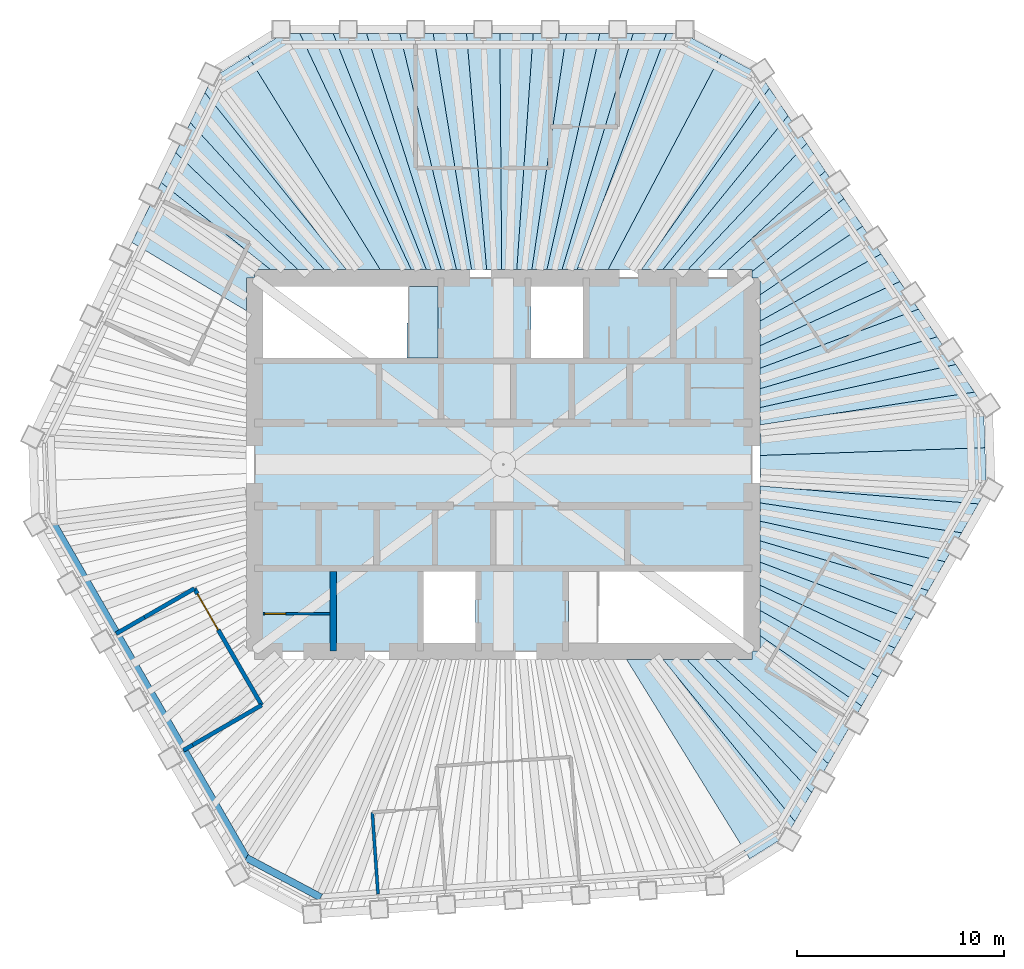
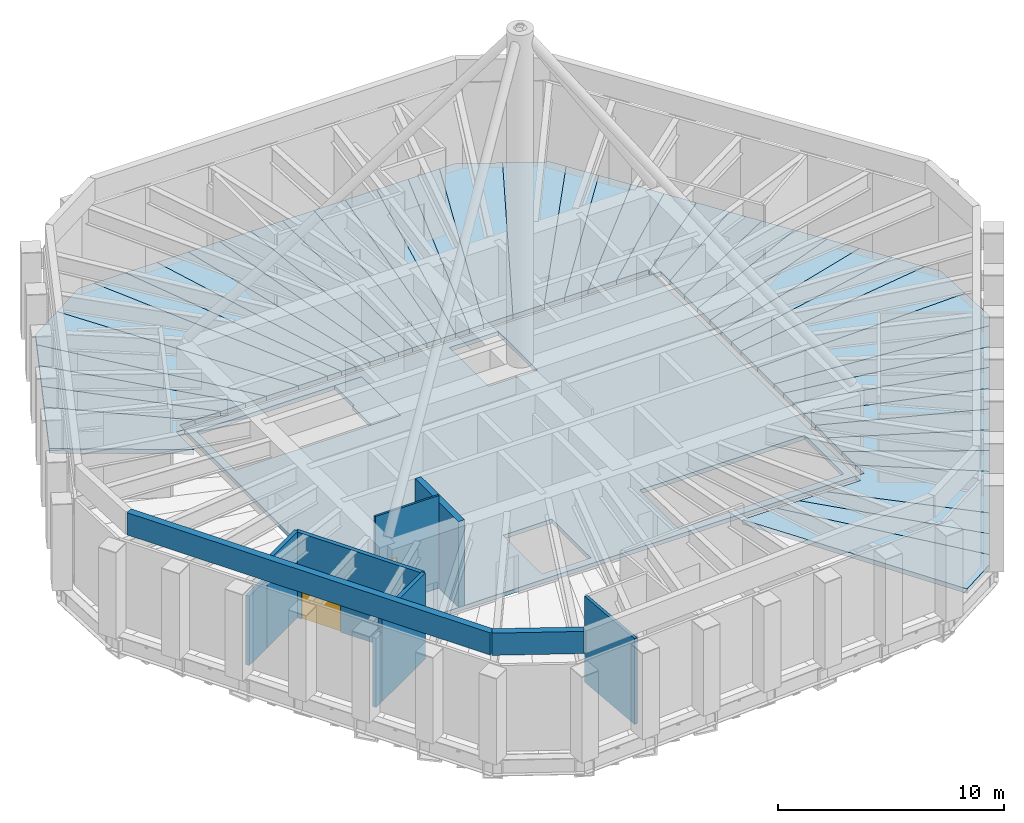
# One storey, part 4 of 9: 45 slabs, 10 walls, 2 doors, 2 openings.
"""IFC4 building model written with IfcOpenShell, lengths in metres."""

import ifcopenshell
import ifcopenshell.guid

model = None  # the IFC model being written
_history = None  # IfcOwnerHistory: only IFC2X3 demands one
_inside = {}  # id of a spatial element -> (the spatial element, [elements in it])
_under = {}  # id of a project, library or spatial element -> (it, [spatial elements below it])
_declared = {}  # id of a project -> (the project, [libraries it declares])
_typed = {}  # id of a type object -> (the type object, [elements of that type])
_made_of = {}  # id of a material, layer set ... -> (it, [elements and type objects made of it])


def new_model(schema):
    """Start an empty IFC model of exactly this schema.

    Asked for "IFC4X3", IfcOpenShell would pick the latest addendum, in which some entities
    have other attributes; the version numbers below select the first issue.
    IFC2X3 requires an IfcOwnerHistory on every rooted entity: one is made here for all.
    """
    global model, _history
    if schema == "IFC4X3":
        model = ifcopenshell.file(schema_version=(4, 3, 0, 0))
    else:
        model = ifcopenshell.file(schema=schema)
    _inside.clear()
    _under.clear()
    _declared.clear()
    _typed.clear()
    _made_of.clear()
    _history = None
    if model.schema == "IFC2X3":
        org = make("IfcOrganization", Name="unknown")
        user = make(
            "IfcPersonAndOrganization",
            ThePerson=make("IfcPerson", FamilyName="unknown"),
            TheOrganization=org,
        )
        app = make(
            "IfcApplication",
            ApplicationDeveloper=org,
            Version="unknown",
            ApplicationFullName="unknown",
            ApplicationIdentifier="unknown",
        )
        _history = make(
            "IfcOwnerHistory",
            OwningUser=user,
            OwningApplication=app,
            ChangeAction="ADDED",
            CreationDate=0,
        )
    return model


def make(cls, **values):
    """One entity of the class cls with the attributes given. An attribute that is None is left unset."""
    return model.create_entity(
        cls, **{name: value for name, value in values.items() if value is not None}
    )


def rooted(cls, **values):
    """An entity with a GlobalId (a new one), such as an element, a storey or a relation."""
    return make(cls, GlobalId=ifcopenshell.guid.new(), OwnerHistory=_history, **values)


def si_unit(unit_type, name, prefix=None):
    """IfcSIUnit, for example si_unit("LENGTHUNIT", "METRE", prefix="MILLI")."""
    return make("IfcSIUnit", UnitType=unit_type, Prefix=prefix, Name=name)


def assignment(units):
    """IfcUnitAssignment: the units of a project."""
    return None if units is None else make("IfcUnitAssignment", Units=units)


def point(xyz):
    """IfcCartesianPoint."""
    return None if xyz is None else make("IfcCartesianPoint", Coordinates=xyz)


def direction(xyz):
    """IfcDirection."""
    return None if xyz is None else make("IfcDirection", DirectionRatios=xyz)


def frame(location, z_axis=None, x_axis=None):
    """IfcAxis2Placement3D, a coordinate frame: its origin and axes. An axis left out is left unset."""
    return make(
        "IfcAxis2Placement3D",
        Location=point(location),
        Axis=direction(z_axis),
        RefDirection=direction(x_axis),
    )


def frame_2d(location, x_axis=None):
    """IfcAxis2Placement2D, a coordinate frame in the plane: its origin and x axis."""
    return make(
        "IfcAxis2Placement2D", Location=point(location), RefDirection=direction(x_axis)
    )


def origin():
    """The frame at (0, 0, 0) with its axes left unset."""
    return frame((0.0, 0.0, 0.0))


def place(relative_to, where):
    """IfcLocalPlacement: puts the frame where relative to a parent placement (None: the world)."""
    return make(
        "IfcLocalPlacement", PlacementRelTo=relative_to, RelativePlacement=where
    )


def context(
    kind, dimensions, precision=None, world=None, true_north=None, identifier=None
):
    """IfcGeometricRepresentationContext, for example the 3D "Model" context."""
    return make(
        "IfcGeometricRepresentationContext",
        ContextIdentifier=identifier,
        ContextType=kind,
        CoordinateSpaceDimension=dimensions,
        Precision=precision,
        WorldCoordinateSystem=world,
        TrueNorth=true_north,
    )


def subcontext(parent, identifier, kind, view, scale=None):
    """IfcGeometricRepresentationSubContext, for example "Body" below "Model"."""
    return make(
        "IfcGeometricRepresentationSubContext",
        ContextIdentifier=identifier,
        ContextType=kind,
        ParentContext=parent,
        TargetScale=scale,
        TargetView=view,
    )


def project(units=None, contexts=None):
    """IfcProject with its units and contexts."""
    return rooted(
        "IfcProject",
        Name="project",
        RepresentationContexts=contexts,
        UnitsInContext=assignment(units),
    )


def spatial(cls, under=None, at=None, **own):
    """A site, building, storey or space (cls), placed at a placement, below another one or the project."""
    s = rooted(cls, ObjectPlacement=at, **own)
    if under is not None:
        _under.setdefault(under.id(), (under, []))[1].append(s)
    return s


def polyline(points):
    """IfcPolyline through the points."""
    return make("IfcPolyline", Points=[point(p) for p in points])


def profile(cls, at=None, kind="AREA", **sizes):
    """A parametric profile (cls). Its sizes go by their IFC names, for example OverallWidth=200.0."""
    return make(cls, ProfileType=kind, Position=at, **sizes)


def rectangle(**sizes):
    """IfcRectangleProfileDef."""
    return profile("IfcRectangleProfileDef", **sizes)


def outline(outer, holes=None, kind="AREA"):
    """IfcArbitraryClosedProfileDef: a profile drawn as a closed curve; with holes, ...WithVoids."""
    if holes is None:
        return make("IfcArbitraryClosedProfileDef", ProfileType=kind, OuterCurve=outer)
    return make(
        "IfcArbitraryProfileDefWithVoids",
        ProfileType=kind,
        OuterCurve=outer,
        InnerCurves=holes,
    )


def extrude(swept, where, along, depth):
    """IfcExtrudedAreaSolid: the profile swept, set in the frame where, extruded along a direction by depth."""
    return make(
        "IfcExtrudedAreaSolid",
        SweptArea=swept,
        Position=where,
        ExtrudedDirection=direction(along),
        Depth=depth,
    )


def shape(context_of_items, identifier, shape_type, items):
    """IfcShapeRepresentation: the items that make up one representation, for example the "Body"."""
    return make(
        "IfcShapeRepresentation",
        ContextOfItems=context_of_items,
        RepresentationIdentifier=identifier,
        RepresentationType=shape_type,
        Items=items,
    )


def material(Name=None, Category=None):
    """IfcMaterial."""
    return make("IfcMaterial", Name=Name, Category=Category)


def layer(
    of_material, thickness, ventilated=None, Name=None, Category=None, Priority=None
):
    """IfcMaterialLayer: one layer of a wall or slab, of a material (None: an air gap)."""
    return make(
        "IfcMaterialLayer",
        Material=of_material,
        LayerThickness=thickness,
        IsVentilated=ventilated,
        Name=Name,
        Category=Category,
        Priority=Priority,
    )


def layer_set(layers, Name=None):
    """IfcMaterialLayerSet."""
    return make("IfcMaterialLayerSet", MaterialLayers=layers, LayerSetName=Name)


def made_of(thing, what):
    """Note that an element or type object is made of a material, layer set ...; save() writes the relation."""
    if what is not None:
        _made_of.setdefault(what.id(), (what, []))[1].append(thing)
    return thing


def type_object(cls, material=None, **own):
    """A type object (cls), such as IfcWallType, which elements share."""
    return made_of(rooted(cls, **own), material)


def element(
    cls,
    number,
    at=None,
    inside=None,
    cuts=None,
    type_object=None,
    material=None,
    context=None,
    identifier="Body",
    shape_type=None,
    held_by="IfcProductDefinitionShape",
    body=None,
    shapes=None,
    **own,
):
    """One element of the class cls, such as IfcWall. Its Tag is "e" and its number.

    at: its placement. inside: the storey or other place that contains it. cuts: it is an
    opening in that element (IfcRelVoidsElement). A single representation is given by context,
    identifier, shape_type and body (its items); several are given by shapes. held_by: the class
    of the entity that holds the representations. save() writes the other relations.
    """
    e = rooted(cls, Tag="e%d" % number, ObjectPlacement=at, **own)
    if body is not None:
        shapes = [shape(context, identifier, shape_type, body)]
    if shapes is not None:
        e.Representation = make(held_by, Representations=shapes)
    if inside is not None:
        _inside.setdefault(inside.id(), (inside, []))[1].append(e)
    if cuts is not None:
        rooted(
            "IfcRelVoidsElement", RelatingBuildingElement=cuts, RelatedOpeningElement=e
        )
    if type_object is not None:
        _typed.setdefault(type_object.id(), (type_object, []))[1].append(e)
    return made_of(e, material)


def fill(opening, filler):
    """IfcRelFillsElement: the door or window that sits in an opening."""
    return rooted(
        "IfcRelFillsElement",
        RelatingOpeningElement=opening,
        RelatedBuildingElement=filler,
    )


def aggregate(whole, parts):
    """IfcRelAggregates: a whole, such as a stair, and the parts it consists of."""
    return rooted("IfcRelAggregates", RelatingObject=whole, RelatedObjects=parts)


def save(model, path):
    """Write the relations noted so far, then the file.

    IfcRelAggregates (storeys below a building ...), IfcRelContainedInSpatialStructure (elements
    in a storey), IfcRelDefinesByType, IfcRelAssociatesMaterial and IfcRelDeclares: one each for
    every whole, place, type object, material and project.
    """
    for whole, parts in _under.values():
        aggregate(whole, parts)
    for where, things in _inside.values():
        rooted(
            "IfcRelContainedInSpatialStructure",
            RelatedElements=things,
            RelatingStructure=where,
        )
    for kind, things in _typed.values():
        rooted("IfcRelDefinesByType", RelatedObjects=things, RelatingType=kind)
    for what, things in _made_of.values():
        rooted("IfcRelAssociatesMaterial", RelatedObjects=things, RelatingMaterial=what)
    for by, libraries in _declared.values():
        rooted("IfcRelDeclares", RelatingContext=by, RelatedDefinitions=libraries)
    model.write(path)


model = new_model("IFC4")

# Units and contexts
model_context = context("Model", 3, precision=1e-05, world=origin(), true_north=direction((0.0, 1.0)))
body_context = subcontext(model_context, "Body", "Model", "MODEL_VIEW")
ifc_project = project(units=[si_unit("LENGTHUNIT", "METRE"), si_unit("AREAUNIT", "SQUARE_METRE"), si_unit("VOLUMEUNIT", "CUBIC_METRE"), si_unit("PLANEANGLEUNIT", "RADIAN"), si_unit("MASSUNIT", "GRAM", prefix="KILO")], contexts=[model_context])

# Site, building, storey
site_placement = place(None, origin())
site = spatial("IfcSite", under=ifc_project, at=site_placement, CompositionType="ELEMENT")
building_placement = place(site_placement, origin())
building = spatial("IfcBuilding", under=site, at=building_placement, Name="Qingtian Harvest Tower", CompositionType="ELEMENT")
storey_placement = place(building_placement, frame((0.0, 0.0, 343.60009765625)))
storey = spatial("IfcBuildingStorey", under=building, at=storey_placement, Name="L76", CompositionType="ELEMENT", Elevation=343.60009765625)

# Slabs
ifc_material_1 = material(Name="Concrete fc' 35 MPa", Category="concrete")
ifc_layer_1 = layer(ifc_material_1, 0.25)
ifc_layer_set_1 = layer_set([ifc_layer_1], Name="Composite floor slab FS25 250")
slab_type_1 = type_object("IfcSlabType", Name="Composite floor slab FS25 250", PredefinedType="FLOOR", material=ifc_layer_set_1)
slab_1_placement = place(storey_placement, frame((0.0, 0.0, -0.25)))
element("IfcSlab", 1, at=slab_1_placement, inside=storey, type_object=slab_type_1, Name="Floor slab L76 panel D27", PredefinedType="FLOOR", context=body_context, shape_type="SweptSolid", body=[
    extrude(outline(polyline([(5.945556640625, -9.39990234375), (7.703125, -9.39990234375), (14.077880859375, -17.2265625), (13.6865234375, -17.904296875), (11.890380859375, -19.026611328125), (5.945556640625, -9.39990234375)])), origin(), (0.0, 0.0, 1.0), 0.25),
])
slab_2_placement = place(storey_placement, frame((0.0, 0.0, -0.25)))
element("IfcSlab", 2, at=slab_2_placement, inside=storey, type_object=slab_type_1, Name="Floor slab L76 panel D28", PredefinedType="FLOOR", context=body_context, shape_type="SweptSolid", body=[
    extrude(outline(polyline([(8.86279296875, -9.39990234375), (14.88232421875, -15.8330078125), (14.077880859375, -17.2265625), (7.703125, -9.39990234375), (8.86279296875, -9.39990234375)])), origin(), (0.0, 0.0, 1.0), 0.25),
])
slab_3_placement = place(storey_placement, frame((0.0, 0.0, -0.25)))
element("IfcSlab", 3, at=slab_3_placement, inside=storey, type_object=slab_type_1, Name="Floor slab L76 panel D29", PredefinedType="FLOOR", context=body_context, shape_type="SweptSolid", body=[
    extrude(outline(polyline([(10.248046875, -9.39990234375), (15.68701171875, -14.439453125), (14.88232421875, -15.8330078125), (8.86279296875, -9.39990234375), (10.248046875, -9.39990234375)])), origin(), (0.0, 0.0, 1.0), 0.25),
])
slab_4_placement = place(storey_placement, frame((0.0, 0.0, -0.25)))
element("IfcSlab", 4, at=slab_4_placement, inside=storey, type_object=slab_type_1, Name="Floor slab L76 panel D31", PredefinedType="FLOOR", context=body_context, shape_type="SweptSolid", body=[
    extrude(outline(polyline([(12.39990234375, -8.263427734375), (17.296630859375, -11.651123046875), (15.68701171875, -14.439453125), (10.248046875, -9.39990234375), (12.0, -9.39990234375), (12.0, -9.0), (12.39990234375, -9.0), (12.39990234375, -8.263427734375)])), origin(), (0.0, 0.0, 1.0), 0.25),
])
slab_5_placement = place(storey_placement, frame((0.0, 0.0, -0.25)))
element("IfcSlab", 5, at=slab_5_placement, inside=storey, type_object=slab_type_1, Name="Floor slab L76 panel D32", PredefinedType="FLOOR", context=body_context, shape_type="SweptSolid", body=[
    extrude(outline(polyline([(12.39990234375, -7.04296875), (18.099853515625, -10.26025390625), (17.296630859375, -11.651123046875), (12.39990234375, -8.263427734375), (12.39990234375, -7.04296875)])), origin(), (0.0, 0.0, 1.0), 0.25),
])
slab_6_placement = place(storey_placement, frame((0.0, 0.0, -0.25)))
element("IfcSlab", 6, at=slab_6_placement, inside=storey, type_object=slab_type_1, Name="Floor slab L76 panel D33", PredefinedType="FLOOR", context=body_context, shape_type="SweptSolid", body=[
    extrude(outline(polyline([(12.39990234375, -5.828125), (18.904296875, -8.86669921875), (18.099853515625, -10.26025390625), (12.39990234375, -7.04296875), (12.39990234375, -5.828125)])), origin(), (0.0, 0.0, 1.0), 0.25),
])
slab_7_placement = place(storey_placement, frame((0.0, 0.0, -0.25)))
element("IfcSlab", 7, at=slab_7_placement, inside=storey, type_object=slab_type_1, Name="Floor slab L76 panel D34", PredefinedType="FLOOR", context=body_context, shape_type="SweptSolid", body=[
    extrude(outline(polyline([(12.39990234375, -4.712646484375), (19.708740234375, -7.473388671875), (18.904296875, -8.86669921875), (12.39990234375, -5.828125), (12.39990234375, -4.712646484375)])), origin(), (0.0, 0.0, 1.0), 0.25),
])
slab_8_placement = place(storey_placement, frame((0.0, 0.0, -0.25)))
element("IfcSlab", 8, at=slab_8_placement, inside=storey, type_object=slab_type_1, Name="Floor slab L76 panel D35", PredefinedType="FLOOR", context=body_context, shape_type="SweptSolid", body=[
    extrude(outline(polyline([(12.39990234375, -3.684814453125), (20.51318359375, -6.080078125), (19.708740234375, -7.473388671875), (12.39990234375, -4.712646484375), (12.39990234375, -3.684814453125)])), origin(), (0.0, 0.0, 1.0), 0.25),
])
slab_9_placement = place(storey_placement, frame((0.0, 0.0, -0.25)))
element("IfcSlab", 9, at=slab_9_placement, inside=storey, type_object=slab_type_1, Name="Floor slab L76 panel D36", PredefinedType="FLOOR", context=body_context, shape_type="SweptSolid", body=[
    extrude(outline(polyline([(12.39990234375, -2.734619140625), (21.317626953125, -4.6865234375), (20.51318359375, -6.080078125), (12.39990234375, -3.684814453125), (12.39990234375, -2.734619140625)])), origin(), (0.0, 0.0, 1.0), 0.25),
])
slab_10_placement = place(storey_placement, frame((0.0, 0.0, -0.25)))
element("IfcSlab", 10, at=slab_10_placement, inside=storey, type_object=slab_type_1, Name="Floor slab L76 panel D37", PredefinedType="FLOOR", context=body_context, shape_type="SweptSolid", body=[
    extrude(outline(polyline([(12.39990234375, -1.853515625), (22.122314453125, -3.293212890625), (21.317626953125, -4.6865234375), (12.39990234375, -2.734619140625), (12.39990234375, -1.853515625)])), origin(), (0.0, 0.0, 1.0), 0.25),
])
slab_11_placement = place(storey_placement, frame((0.0, 0.0, -0.25)))
element("IfcSlab", 11, at=slab_11_placement, inside=storey, type_object=slab_type_1, Name="Floor slab L76 panel D38", PredefinedType="FLOOR", context=body_context, shape_type="SweptSolid", body=[
    extrude(outline(polyline([(12.39990234375, -1.034423828125), (22.9267578125, -1.89990234375), (22.122314453125, -3.293212890625), (12.39990234375, -1.853515625), (12.39990234375, -1.034423828125)])), origin(), (0.0, 0.0, 1.0), 0.25),
])
slab_12_placement = place(storey_placement, frame((0.0, 0.0, -0.25)))
element("IfcSlab", 12, at=slab_12_placement, inside=storey, type_object=slab_type_1, Name="Floor slab L76 panel D39", PredefinedType="FLOOR", context=body_context, shape_type="SweptSolid", body=[
    extrude(outline(polyline([(12.39990234375, -1.034423828125), (12.39990234375, 0.436279296875), (23.246826171875, 0.811767578125), (23.31787109375, -1.22216796875), (22.9267578125, -1.89990234375), (12.39990234375, -1.034423828125)])), origin(), (0.0, 0.0, 1.0), 0.25),
])
slab_13_placement = place(storey_placement, frame((0.0, 0.0, -0.25)))
element("IfcSlab", 13, at=slab_13_placement, inside=storey, type_object=slab_type_1, Name="Floor slab L76 panel D40", PredefinedType="FLOOR", context=body_context, shape_type="SweptSolid", body=[
    extrude(outline(polyline([(12.39990234375, 0.436279296875), (12.39990234375, 1.91357421875), (22.73828125, 3.494384765625), (23.17578125, 2.845947265625), (23.246826171875, 0.811767578125), (12.39990234375, 0.436279296875)])), origin(), (0.0, 0.0, 1.0), 0.25),
])
slab_14_placement = place(storey_placement, frame((0.0, 0.0, -0.25)))
element("IfcSlab", 14, at=slab_14_placement, inside=storey, type_object=slab_type_1, Name="Floor slab L76 panel D41", PredefinedType="FLOOR", context=body_context, shape_type="SweptSolid", body=[
    extrude(outline(polyline([(12.39990234375, 2.75048828125), (21.838623046875, 4.828369140625), (22.73828125, 3.494384765625), (12.39990234375, 1.91357421875), (12.39990234375, 2.75048828125)])), origin(), (0.0, 0.0, 1.0), 0.25),
])
slab_15_placement = place(storey_placement, frame((0.0, 0.0, -0.25)))
element("IfcSlab", 15, at=slab_15_placement, inside=storey, type_object=slab_type_1, Name="Floor slab L76 panel D42", PredefinedType="FLOOR", context=body_context, shape_type="SweptSolid", body=[
    extrude(outline(polyline([(12.39990234375, 3.659423828125), (20.93896484375, 6.162353515625), (21.838623046875, 4.828369140625), (12.39990234375, 2.75048828125), (12.39990234375, 3.659423828125)])), origin(), (0.0, 0.0, 1.0), 0.25),
])
slab_16_placement = place(storey_placement, frame((0.0, 0.0, -0.25)))
element("IfcSlab", 16, at=slab_16_placement, inside=storey, type_object=slab_type_1, Name="Floor slab L76 panel D43", PredefinedType="FLOOR", context=body_context, shape_type="SweptSolid", body=[
    extrude(outline(polyline([(12.39990234375, 4.64990234375), (20.0390625, 7.49609375), (20.93896484375, 6.162353515625), (12.39990234375, 3.659423828125), (12.39990234375, 4.64990234375)])), origin(), (0.0, 0.0, 1.0), 0.25),
])
slab_17_placement = place(storey_placement, frame((0.0, 0.0, -0.25)))
element("IfcSlab", 17, at=slab_17_placement, inside=storey, type_object=slab_type_1, Name="Floor slab L76 panel D44", PredefinedType="FLOOR", context=body_context, shape_type="SweptSolid", body=[
    extrude(outline(polyline([(12.39990234375, 5.73388671875), (19.139404296875, 8.830078125), (20.0390625, 7.49609375), (12.39990234375, 4.64990234375), (12.39990234375, 5.73388671875)])), origin(), (0.0, 0.0, 1.0), 0.25),
])
slab_18_placement = place(storey_placement, frame((0.0, 0.0, -0.25)))
element("IfcSlab", 18, at=slab_18_placement, inside=storey, type_object=slab_type_1, Name="Floor slab L76 panel D45", PredefinedType="FLOOR", context=body_context, shape_type="SweptSolid", body=[
    extrude(outline(polyline([(12.39990234375, 6.925048828125), (18.23974609375, 10.1640625), (19.139404296875, 8.830078125), (12.39990234375, 5.73388671875), (12.39990234375, 6.925048828125)])), origin(), (0.0, 0.0, 1.0), 0.25),
])
slab_19_placement = place(storey_placement, frame((0.0, 0.0, -0.25)))
element("IfcSlab", 19, at=slab_19_placement, inside=storey, type_object=slab_type_1, Name="Floor slab L76 panel D46", PredefinedType="FLOOR", context=body_context, shape_type="SweptSolid", body=[
    extrude(outline(polyline([(12.39990234375, 8.199462890625), (17.340576171875, 11.4970703125), (18.23974609375, 10.1640625), (12.39990234375, 6.925048828125), (12.39990234375, 8.199462890625)])), origin(), (0.0, 0.0, 1.0), 0.25),
])
slab_20_placement = place(storey_placement, frame((0.0, 0.0, -0.25)))
element("IfcSlab", 20, at=slab_20_placement, inside=storey, type_object=slab_type_1, Name="Floor slab L76 panel D47", PredefinedType="FLOOR", context=body_context, shape_type="SweptSolid", body=[
    extrude(outline(polyline([(12.39990234375, 9.0), (12.0, 9.0), (12.0, 9.30908203125), (16.44140625, 12.830078125), (17.340576171875, 11.4970703125), (12.39990234375, 8.199462890625), (12.39990234375, 9.0)])), origin(), (0.0, 0.0, 1.0), 0.25),
])
slab_21_placement = place(storey_placement, frame((0.0, 0.0, -0.25)))
element("IfcSlab", 21, at=slab_21_placement, inside=storey, type_object=slab_type_1, Name="Floor slab L76 panel D48", PredefinedType="FLOOR", context=body_context, shape_type="SweptSolid", body=[
    extrude(outline(polyline([(12.0, 9.39990234375), (10.349853515625, 9.39990234375), (15.541259765625, 14.164794921875), (16.44140625, 12.830078125), (12.0, 9.30908203125), (12.0, 9.39990234375)])), origin(), (0.0, 0.0, 1.0), 0.25),
])
slab_22_placement = place(storey_placement, frame((0.0, 0.0, -0.25)))
element("IfcSlab", 22, at=slab_22_placement, inside=storey, type_object=slab_type_1, Name="Floor slab L76 panel D49", PredefinedType="FLOOR", context=body_context, shape_type="SweptSolid", body=[
    extrude(outline(polyline([(8.907958984375, 9.39990234375), (14.641357421875, 15.498779296875), (15.541259765625, 14.164794921875), (10.349853515625, 9.39990234375), (8.907958984375, 9.39990234375)])), origin(), (0.0, 0.0, 1.0), 0.25),
])
slab_23_placement = place(storey_placement, frame((0.0, 0.0, -0.25)))
element("IfcSlab", 23, at=slab_23_placement, inside=storey, type_object=slab_type_1, Name="Floor slab L76 panel D50", PredefinedType="FLOOR", context=body_context, shape_type="SweptSolid", body=[
    extrude(outline(polyline([(7.695556640625, 9.39990234375), (13.74169921875, 16.832763671875), (14.641357421875, 15.498779296875), (8.907958984375, 9.39990234375), (7.695556640625, 9.39990234375)])), origin(), (0.0, 0.0, 1.0), 0.25),
])
slab_24_placement = place(storey_placement, frame((0.0, 0.0, -0.25)))
element("IfcSlab", 24, at=slab_24_placement, inside=storey, type_object=slab_type_1, Name="Floor slab L76 panel D51", PredefinedType="FLOOR", context=body_context, shape_type="SweptSolid", body=[
    extrude(outline(polyline([(6.662109375, 9.39990234375), (12.841796875, 18.16650390625), (13.74169921875, 16.832763671875), (7.695556640625, 9.39990234375), (6.662109375, 9.39990234375)])), origin(), (0.0, 0.0, 1.0), 0.25),
])
slab_25_placement = place(storey_placement, frame((0.0, 0.0, -0.25)))
element("IfcSlab", 25, at=slab_25_placement, inside=storey, type_object=slab_type_1, Name="Floor slab L76 panel D52", PredefinedType="FLOOR", context=body_context, shape_type="SweptSolid", body=[
    extrude(outline(polyline([(6.662109375, 9.39990234375), (5.05419921875, 9.39990234375), (10.533935546875, 19.809814453125), (12.404296875, 18.8154296875), (12.841796875, 18.16650390625), (6.662109375, 9.39990234375)])), origin(), (0.0, 0.0, 1.0), 0.25),
])
slab_26_placement = place(storey_placement, frame((0.0, 0.0, -0.25)))
element("IfcSlab", 26, at=slab_26_placement, inside=storey, type_object=slab_type_1, Name="Floor slab L76 panel D53", PredefinedType="FLOOR", context=body_context, shape_type="SweptSolid", body=[
    extrude(outline(polyline([(3.560302734375, 9.39990234375), (7.880126953125, 20.804931640625), (8.662109375, 20.804931640625), (10.533935546875, 19.809814453125), (5.05419921875, 9.39990234375), (3.560302734375, 9.39990234375)])), origin(), (0.0, 0.0, 1.0), 0.25),
])
slab_27_placement = place(storey_placement, frame((0.0, 0.0, -0.25)))
element("IfcSlab", 27, at=slab_27_placement, inside=storey, type_object=slab_type_1, Name="Floor slab L76 panel D54", PredefinedType="FLOOR", context=body_context, shape_type="SweptSolid", body=[
    extrude(outline(polyline([(2.833251953125, 9.39990234375), (6.27099609375, 20.804931640625), (7.880126953125, 20.804931640625), (3.560302734375, 9.39990234375), (2.833251953125, 9.39990234375)])), origin(), (0.0, 0.0, 1.0), 0.25),
])
slab_28_placement = place(storey_placement, frame((0.0, 0.0, -0.25)))
element("IfcSlab", 28, at=slab_28_placement, inside=storey, type_object=slab_type_1, Name="Floor slab L76 panel D55", PredefinedType="FLOOR", context=body_context, shape_type="SweptSolid", body=[
    extrude(outline(polyline([(2.1064453125, 9.39990234375), (4.662109375, 20.804931640625), (6.27099609375, 20.804931640625), (2.833251953125, 9.39990234375), (2.1064453125, 9.39990234375)])), origin(), (0.0, 0.0, 1.0), 0.25),
])
slab_29_placement = place(storey_placement, frame((0.0, 0.0, -0.25)))
element("IfcSlab", 29, at=slab_29_placement, inside=storey, type_object=slab_type_1, Name="Floor slab L76 panel D56", PredefinedType="FLOOR", context=body_context, shape_type="SweptSolid", body=[
    extrude(outline(polyline([(1.37939453125, 9.39990234375), (3.05322265625, 20.804931640625), (4.662109375, 20.804931640625), (2.1064453125, 9.39990234375), (1.37939453125, 9.39990234375)])), origin(), (0.0, 0.0, 1.0), 0.25),
])
slab_30_placement = place(storey_placement, frame((0.0, 0.0, -0.25)))
element("IfcSlab", 30, at=slab_30_placement, inside=storey, type_object=slab_type_1, Name="Floor slab L76 panel D57", PredefinedType="FLOOR", context=body_context, shape_type="SweptSolid", body=[
    extrude(outline(polyline([(0.652587890625, 9.39990234375), (1.4443359375, 20.804931640625), (3.05322265625, 20.804931640625), (1.37939453125, 9.39990234375), (0.652587890625, 9.39990234375)])), origin(), (0.0, 0.0, 1.0), 0.25),
])
slab_31_placement = place(storey_placement, frame((0.0, 0.0, -0.25)))
element("IfcSlab", 31, at=slab_31_placement, inside=storey, type_object=slab_type_1, Name="Floor slab L76 panel D58", PredefinedType="FLOOR", context=body_context, shape_type="SweptSolid", body=[
    extrude(outline(polyline([(-0.074462890625, 9.39990234375), (-0.16455078125, 20.804931640625), (1.4443359375, 20.804931640625), (0.652587890625, 9.39990234375), (-0.074462890625, 9.39990234375)])), origin(), (0.0, 0.0, 1.0), 0.25),
])
slab_32_placement = place(storey_placement, frame((0.0, 0.0, -0.25)))
element("IfcSlab", 32, at=slab_32_placement, inside=storey, type_object=slab_type_1, Name="Floor slab L76 panel D59", PredefinedType="FLOOR", context=body_context, shape_type="SweptSolid", body=[
    extrude(outline(polyline([(-0.80126953125, 9.39990234375), (-1.773681640625, 20.804931640625), (-0.16455078125, 20.804931640625), (-0.074462890625, 9.39990234375), (-0.80126953125, 9.39990234375)])), origin(), (0.0, 0.0, 1.0), 0.25),
])
slab_33_placement = place(storey_placement, frame((0.0, 0.0, -0.25)))
element("IfcSlab", 33, at=slab_33_placement, inside=storey, type_object=slab_type_1, Name="Floor slab L76 panel D60", PredefinedType="FLOOR", context=body_context, shape_type="SweptSolid", body=[
    extrude(outline(polyline([(-1.5283203125, 9.39990234375), (-3.382568359375, 20.804931640625), (-1.773681640625, 20.804931640625), (-0.80126953125, 9.39990234375), (-1.5283203125, 9.39990234375)])), origin(), (0.0, 0.0, 1.0), 0.25),
])
slab_34_placement = place(storey_placement, frame((0.0, 0.0, -0.25)))
element("IfcSlab", 34, at=slab_34_placement, inside=storey, type_object=slab_type_1, Name="Floor slab L76 panel D61", PredefinedType="FLOOR", context=body_context, shape_type="SweptSolid", body=[
    extrude(outline(polyline([(-2.255126953125, 9.39990234375), (-4.991455078125, 20.804931640625), (-3.382568359375, 20.804931640625), (-1.5283203125, 9.39990234375), (-2.255126953125, 9.39990234375)])), origin(), (0.0, 0.0, 1.0), 0.25),
])
slab_35_placement = place(storey_placement, frame((0.0, 0.0, -0.25)))
element("IfcSlab", 35, at=slab_35_placement, inside=storey, type_object=slab_type_1, Name="Floor slab L76 panel D62", PredefinedType="FLOOR", context=body_context, shape_type="SweptSolid", body=[
    extrude(outline(polyline([(-2.982177734375, 9.39990234375), (-6.600341796875, 20.804931640625), (-4.991455078125, 20.804931640625), (-2.255126953125, 9.39990234375), (-2.982177734375, 9.39990234375)])), origin(), (0.0, 0.0, 1.0), 0.25),
])
slab_36_placement = place(storey_placement, frame((0.0, 0.0, -0.25)))
element("IfcSlab", 36, at=slab_36_placement, inside=storey, type_object=slab_type_1, Name="Floor slab L76 panel D63", PredefinedType="FLOOR", context=body_context, shape_type="SweptSolid", body=[
    extrude(outline(polyline([(-3.708984375, 9.39990234375), (-8.209228515625, 20.804931640625), (-6.600341796875, 20.804931640625), (-2.982177734375, 9.39990234375), (-3.708984375, 9.39990234375)])), origin(), (0.0, 0.0, 1.0), 0.25),
])
slab_37_placement = place(storey_placement, frame((0.0, 0.0, -0.25)))
element("IfcSlab", 37, at=slab_37_placement, inside=storey, type_object=slab_type_1, Name="Floor slab L76 panel D64", PredefinedType="FLOOR", context=body_context, shape_type="SweptSolid", body=[
    extrude(outline(polyline([(-4.43603515625, 9.39990234375), (-9.818115234375, 20.804931640625), (-8.209228515625, 20.804931640625), (-3.708984375, 9.39990234375), (-4.43603515625, 9.39990234375)])), origin(), (0.0, 0.0, 1.0), 0.25),
])
slab_38_placement = place(storey_placement, frame((0.0, 0.0, -0.25)))
element("IfcSlab", 38, at=slab_38_placement, inside=storey, type_object=slab_type_1, Name="Floor slab L76 panel D65", PredefinedType="FLOOR", context=body_context, shape_type="SweptSolid", body=[
    extrude(outline(polyline([(-4.43603515625, 9.39990234375), (-5.935302734375, 9.39990234375), (-12.327392578125, 19.725830078125), (-10.600341796875, 20.804931640625), (-9.818115234375, 20.804931640625), (-4.43603515625, 9.39990234375)])), origin(), (0.0, 0.0, 1.0), 0.25),
])
slab_39_placement = place(storey_placement, frame((0.0, 0.0, -0.25)))
element("IfcSlab", 39, at=slab_39_placement, inside=storey, type_object=slab_type_1, Name="Floor slab L76 panel D66", PredefinedType="FLOOR", context=body_context, shape_type="SweptSolid", body=[
    extrude(outline(polyline([(-5.935302734375, 9.39990234375), (-7.560302734375, 9.39990234375), (-14.3955078125, 17.944580078125), (-14.052490234375, 18.64794921875), (-12.327392578125, 19.725830078125), (-5.935302734375, 9.39990234375)])), origin(), (0.0, 0.0, 1.0), 0.25),
])
slab_40_placement = place(storey_placement, frame((0.0, 0.0, -0.25)))
element("IfcSlab", 40, at=slab_40_placement, inside=storey, type_object=slab_type_1, Name="Floor slab L76 panel D67", PredefinedType="FLOOR", context=body_context, shape_type="SweptSolid", body=[
    extrude(outline(polyline([(-8.62890625, 9.39990234375), (-15.100830078125, 16.498291015625), (-14.3955078125, 17.944580078125), (-7.560302734375, 9.39990234375), (-8.62890625, 9.39990234375)])), origin(), (0.0, 0.0, 1.0), 0.25),
])
slab_41_placement = place(storey_placement, frame((0.0, 0.0, -0.25)))
element("IfcSlab", 41, at=slab_41_placement, inside=storey, type_object=slab_type_1, Name="Floor slab L76 panel D68", PredefinedType="FLOOR", context=body_context, shape_type="SweptSolid", body=[
    extrude(outline(polyline([(-9.90380859375, 9.39990234375), (-15.80615234375, 15.05224609375), (-15.100830078125, 16.498291015625), (-8.62890625, 9.39990234375), (-9.90380859375, 9.39990234375)])), origin(), (0.0, 0.0, 1.0), 0.25),
])
slab_42_placement = place(storey_placement, frame((0.0, 0.0, -0.25)))
element("IfcSlab", 42, at=slab_42_placement, inside=storey, type_object=slab_type_1, Name="Floor slab L76 panel D69", PredefinedType="FLOOR", context=body_context, shape_type="SweptSolid", body=[
    extrude(outline(polyline([(-11.224853515625, 9.39990234375), (-16.509765625, 13.609619140625), (-15.80615234375, 15.05224609375), (-9.90380859375, 9.39990234375), (-11.224853515625, 9.39990234375)])), origin(), (0.0, 0.0, 1.0), 0.25),
])
slab_43_placement = place(storey_placement, frame((0.0, 0.0, -0.25)))
element("IfcSlab", 43, at=slab_43_placement, inside=storey, type_object=slab_type_1, Name="Floor slab L76 panel D70", PredefinedType="FLOOR", context=body_context, shape_type="SweptSolid", body=[
    extrude(outline(polyline([(-12.0, 9.0), (-12.39990234375, 9.0), (-12.39990234375, 7.42578125), (-17.921875, 10.714599609375), (-16.509765625, 13.609619140625), (-11.224853515625, 9.39990234375), (-12.0, 9.39990234375), (-12.0, 9.0)])), origin(), (0.0, 0.0, 1.0), 0.25),
])
ifc_material_2 = material(Name="Concrete fc' 35 MPa", Category="concrete")
ifc_layer_2 = layer(ifc_material_2, 0.219970703125)
ifc_layer_set_2 = layer_set([ifc_layer_2], Name="Core floor slab CS22 220")
slab_type_2 = type_object("IfcSlabType", Name="Core floor slab CS22 220", PredefinedType="FLOOR", material=ifc_layer_set_2)
slab_44_placement = place(storey_placement, frame((0.0, 0.0, -0.22021484375)))
element("IfcSlab", 44, at=slab_44_placement, inside=storey, type_object=slab_type_2, Name="Core floor slab L76", PredefinedType="FLOOR", context=body_context, shape_type="SweptSolid", body=[
    extrude(outline(polyline([(-12.0, 9.0), (12.0, 9.0), (12.0, -9.0), (-12.0, -9.0), (-12.0, 9.0)]), holes=[polyline([(11.60009765625, -8.60009765625), (11.60009765625, -5.14990234375), (4.64990234375, -5.14990234375), (4.550048828125, -5.14990234375), (3.14990234375, -5.14990234375), (3.14990234375, -8.60009765625), (4.550048828125, -8.60009765625), (11.60009765625, -8.60009765625)]), polyline([(3.85009765625, 5.14990234375), (3.85009765625, 8.60009765625), (1.35009765625, 8.60009765625), (1.35009765625, 5.14990234375), (3.85009765625, 5.14990234375)]), polyline([(-1.35009765625, -8.60009765625), (-1.35009765625, -5.14990234375), (-3.85009765625, -5.14990234375), (-3.85009765625, -8.60009765625), (-1.35009765625, -8.60009765625)]), polyline([(-4.64990234375, 5.14990234375), (-4.550048828125, 5.14990234375), (-3.14990234375, 5.14990234375), (-3.14990234375, 8.60009765625), (-4.550048828125, 8.60009765625), (-11.60009765625, 8.60009765625), (-11.60009765625, 5.14990234375), (-4.64990234375, 5.14990234375)])]), origin(), (0.0, 0.0, 1.0), 0.22021484375),
])
ifc_material_3 = material(Name="Concrete fc' 35 MPa", Category="concrete")
ifc_layer_3 = layer(ifc_material_3, 0.179931640625)
ifc_layer_set_3 = layer_set([ifc_layer_3], Name="Stair top landing SL1 180")
slab_type_3 = type_object("IfcSlabType", Name="Stair top landing SL1 180", PredefinedType="LANDING", material=ifc_layer_set_3)
slab_45_placement = place(storey_placement, frame((0.0, 0.0, -0.18017578125)))
element("IfcSlab", 45, at=slab_45_placement, inside=storey, type_object=slab_type_3, Name="Stair S1 top landing", PredefinedType="LANDING", context=body_context, shape_type="SweptSolid", body=[
    extrude(outline(polyline([(-4.550048828125, 8.60009765625), (-3.14990234375, 8.60009765625), (-3.14990234375, 5.14990234375), (-4.64990234375, 5.14990234375), (-4.64990234375, 6.824951171875), (-4.550048828125, 6.824951171875), (-4.550048828125, 8.60009765625)])), origin(), (0.0, 0.0, 1.0), 0.18017578125),
])

# Walls
ifc_material_4 = material(Name="Precast concrete shaft panel", Category="concrete")
ifc_layer_4 = layer(ifc_material_4, 0.300048828125)
ifc_layer_set_4 = layer_set([ifc_layer_4], Name="Core shaft partition SW1 300")
wall_type_1 = type_object("IfcWallType", Name="Core shaft partition SW1 300", PredefinedType="PARTITIONING", material=ifc_layer_set_4)
wall_1_placement = place(storey_placement, frame((-8.199951171875, -9.0, 0.0), z_axis=(0.0, 0.0, 1.0), x_axis=(0.0, 1.0, 0.0)))
element("IfcWall", 46, at=wall_1_placement, inside=storey, type_object=wall_type_1, Name="Core shaft partition XS1 L76", PredefinedType="PARTITIONING", context=body_context, shape_type="SweptSolid", body=[
    extrude(rectangle(XDim=3.85009765625, YDim=0.300048828125, at=frame_2d((1.925048828125, 0.0))), origin(), (0.0, 0.0, 1.0), 4.64990234375),
])
ifc_material_5 = material(Name="Blockwork fire wall", Category="masonry")
ifc_layer_5 = layer(ifc_material_5, 0.199951171875)
ifc_layer_set_5 = layer_set([ifc_layer_5], Name="Fire partition FW1 200")
wall_type_2 = type_object("IfcWallType", Name="Fire partition FW1 200", PredefinedType="PARTITIONING", material=ifc_layer_set_5)
wall_2_placement = place(storey_placement, frame((-15.4326171875, -13.7900390625, 0.0), z_axis=(0.0, 0.0, 1.0), x_axis=(0.866114856374, 0.499845031553, 0.0)))
element("IfcWall", 47, at=wall_2_placement, inside=storey, type_object=wall_type_2, Name="Pump plant room wall L76", PredefinedType="PARTITIONING", context=body_context, shape_type="SweptSolid", body=[
    extrude(rectangle(XDim=0.517333984375, YDim=0.199951171875, at=frame_2d((0.2587890625, 0.0))), origin(), (0.0, 0.0, 1.0), 3.75),
])
wall_3_placement = place(storey_placement, frame((-18.6806640625, -8.164306640625, 0.0), z_axis=(0.0, 0.0, 1.0), x_axis=(0.866049315463, 0.499958581471, 0.0)))
element("IfcWall", 48, at=wall_3_placement, inside=storey, type_object=wall_type_2, Name="Pump plant room wall L76", PredefinedType="PARTITIONING", context=body_context, shape_type="SweptSolid", body=[
    extrude(rectangle(XDim=1.581298828125, YDim=0.199951171875, at=frame_2d((0.79052734375, 0.0))), origin(), (0.0, 0.0, 1.0), 3.75),
])

# Wall, opening, door
wall_4_placement = place(storey_placement, frame((-11.65673828125, -11.610107421875, 0.0), z_axis=(0.0, 0.0, 1.0), x_axis=(-0.500003318956, 0.866023487576, 0.0)))
wall_4 = element("IfcWall", 49, at=wall_4_placement, inside=storey, type_object=wall_type_2, Name="Pump plant room wall L76", PredefinedType="PARTITIONING", context=body_context, shape_type="SweptSolid", body=[
    extrude(rectangle(XDim=6.49609375, YDim=0.199951171875, at=frame_2d((3.248046875, 0.0))), origin(), (0.0, 0.0, 1.0), 4.64990234375),
])
opening_1_placement = place(wall_4_placement, frame((4.19677734375, 0.0, 0.0)))
opening_1 = element("IfcOpeningElement", 50, at=opening_1_placement, cuts=wall_4, Name="Opening FD3", PredefinedType="OPENING", context=body_context, shape_type="SweptSolid", body=[
    extrude(rectangle(XDim=2.0, YDim=2.39990234375, at=frame_2d((1.0, 1.199951171875))), frame((0.0, 0.10986328125, 0.0), z_axis=(0.0, -1.0, 0.0), x_axis=(1.0, 0.0, 0.0)), (0.0, 0.0, 1.0), 0.219970703125),
])
ifc_material_6 = material(Name="Steel-faced door leaf", Category="steel")
door_type_1 = type_object("IfcDoorType", Name="Fire door FD3 double 2 HR", OperationType="DOUBLE_DOOR_DOUBLE_SWING", PredefinedType="DOOR", material=ifc_material_6)
door_1_placement = place(opening_1_placement, origin())
door_1 = element("IfcDoor", 51, at=door_1_placement, inside=storey, type_object=door_type_1, Name="Pump plant room door L76", OperationType="DOUBLE_DOOR_DOUBLE_SWING", OverallHeight=2.39990234375, OverallWidth=2.0, PredefinedType="DOOR", context=body_context, shape_type="SweptSolid", body=[
    extrude(rectangle(XDim=2.0, YDim=2.39990234375, at=frame_2d((1.0, 1.199951171875))), frame((0.0, 0.02490234375, 0.0), z_axis=(0.0, -1.0, 0.0), x_axis=(1.0, 0.0, 0.0)), (0.0, 0.0, 1.0), 0.050048828125),
])
fill(opening_1, door_1)

# Walls
wall_5_placement = place(storey_placement, frame((-14.984619140625, -13.531494140625, 0.0), z_axis=(0.0, 0.0, 1.0), x_axis=(0.866021594059, 0.50000659858, 0.0)))
element("IfcWall", 52, at=wall_5_placement, inside=storey, type_object=wall_type_2, Name="Pump plant room wall L76", PredefinedType="PARTITIONING", context=body_context, shape_type="SweptSolid", body=[
    extrude(rectangle(XDim=3.8427734375, YDim=0.199951171875, at=frame_2d((1.92138671875, 0.0))), origin(), (0.0, 0.0, 1.0), 4.64990234375),
])
wall_6_placement = place(storey_placement, frame((-17.311279296875, -7.373779296875, 0.0), z_axis=(0.0, 0.0, 1.0), x_axis=(0.86602318214, 0.500003847982, 0.0)))
element("IfcWall", 53, at=wall_6_placement, inside=storey, type_object=wall_type_2, Name="Pump plant room wall L76", PredefinedType="PARTITIONING", context=body_context, shape_type="SweptSolid", body=[
    extrude(rectangle(XDim=2.77880859375, YDim=0.199951171875, at=frame_2d((1.389404296875, 0.0))), origin(), (0.0, 0.0, 1.0), 4.64990234375),
])
ifc_material_7 = material(Name="Gypsum board on steel studs", Category="steel")
ifc_layer_6 = layer(ifc_material_7, 0.14990234375)
ifc_layer_set_6 = layer_set([ifc_layer_6], Name="Partition PT1 150")
wall_type_3 = type_object("IfcWallType", Name="Partition PT1 150", PredefinedType="PARTITIONING", material=ifc_layer_set_6)
wall_7_placement = place(storey_placement, frame((-6.042724609375, -20.73193359375, 0.0), z_axis=(0.0, 0.0, 1.0), x_axis=(-0.069792315638, 0.997561543303, 0.0)))
element("IfcWall", 54, at=wall_7_placement, inside=storey, type_object=wall_type_3, Name="Transformer room wall L76", PredefinedType="PARTITIONING", context=body_context, shape_type="SweptSolid", body=[
    extrude(rectangle(XDim=3.9599609375, YDim=0.14990234375, at=frame_2d((1.97998046875, 0.0))), origin(), (0.0, 0.0, 1.0), 4.64990234375),
])
ifc_material_8 = material(Name="Concrete fc' 35 MPa", Category="concrete")
ifc_layer_7 = layer(ifc_material_8, 0.35009765625)
ifc_layer_set_7 = layer_set([ifc_layer_7], Name="Roof parapet PW1 350")
wall_type_4 = type_object("IfcWallType", Name="Roof parapet PW1 350", PredefinedType="PARAPET", material=ifc_layer_set_7)
wall_8_placement = place(storey_placement, frame((-8.80224609375, -20.889892578125, 5.0), z_axis=(0.0, 0.0, 1.0), x_axis=(-0.882943273379, 0.469479686456, 0.0)))
element("IfcWall", 55, at=wall_8_placement, inside=storey, type_object=wall_type_4, Name="Roof parapet 8", PredefinedType="PARAPET", context=body_context, shape_type="SweptSolid", body=[
    extrude(rectangle(XDim=4.07080078125, YDim=0.35009765625, at=frame_2d((2.035400390625, 0.0))), origin(), (0.0, 0.0, 1.0), 1.199951171875),
])
wall_9_placement = place(storey_placement, frame((-12.396484375, -18.978759765625, 5.0), z_axis=(0.0, 0.0, 1.0), x_axis=(-0.500003221507, 0.866023543838, 0.0)))
element("IfcWall", 56, at=wall_9_placement, inside=storey, type_object=wall_type_4, Name="Roof parapet 9", PredefinedType="PARAPET", context=body_context, shape_type="SweptSolid", body=[
    extrude(rectangle(XDim=18.591796875, YDim=0.35009765625, at=frame_2d((9.2958984375, 0.0))), origin(), (0.0, 0.0, 1.0), 1.199951171875),
])

# Wall, opening, door
ifc_material_9 = material(Name="Concrete block partition", Category="concrete")
ifc_layer_8 = layer(ifc_material_9, 0.10009765625)
ifc_layer_set_8 = layer_set([ifc_layer_8], Name="Store partition PT3 100")
wall_type_5 = type_object("IfcWallType", Name="Store partition PT3 100", PredefinedType="PARTITIONING", material=ifc_layer_set_8)
wall_10_placement = place(storey_placement, frame((-11.60009765625, -7.199951171875, 0.0), z_axis=(0.0, 0.0, 1.0), x_axis=(1.0, 0.0, 0.0)))
wall_10 = element("IfcWall", 57, at=wall_10_placement, inside=storey, type_object=wall_type_5, Name="Oil store wall L76", PredefinedType="PARTITIONING", context=body_context, shape_type="SweptSolid", body=[
    extrude(rectangle(XDim=3.25, YDim=0.10009765625, at=frame_2d((1.625, 0.0))), origin(), (0.0, 0.0, 1.0), 5.0),
])
opening_2_placement = place(wall_10_placement, frame((0.10009765625, 0.0, 0.0)))
opening_2 = element("IfcOpeningElement", 58, at=opening_2_placement, cuts=wall_10, Name="Opening D2", PredefinedType="OPENING", context=body_context, shape_type="SweptSolid", body=[
    extrude(rectangle(XDim=1.0, YDim=2.39990234375, at=frame_2d((0.5, 1.199951171875))), frame((0.0, 0.06005859375, 0.0), z_axis=(0.0, -1.0, 0.0), x_axis=(1.0, 0.0, 0.0)), (0.0, 0.0, 1.0), 0.1201171875),
])
ifc_material_10 = material(Name="Laminated timber door leaf", Category="wood")
door_type_2 = type_object("IfcDoorType", Name="Room door D2 single", OperationType="SINGLE_SWING_LEFT", PredefinedType="DOOR", material=ifc_material_10)
door_2_placement = place(opening_2_placement, origin())
door_2 = element("IfcDoor", 59, at=door_2_placement, inside=storey, type_object=door_type_2, Name="Oil store door L76", OperationType="SINGLE_SWING_RIGHT", OverallHeight=2.39990234375, OverallWidth=1.0, PredefinedType="DOOR", context=body_context, shape_type="SweptSolid", body=[
    extrude(rectangle(XDim=1.0, YDim=2.39990234375, at=frame_2d((0.5, 1.199951171875))), frame((0.0, 0.02490234375, 0.0), z_axis=(0.0, -1.0, 0.0), x_axis=(1.0, 0.0, 0.0)), (0.0, 0.0, 1.0), 0.050048828125),
])
fill(opening_2, door_2)

save(model, "model.ifc")
